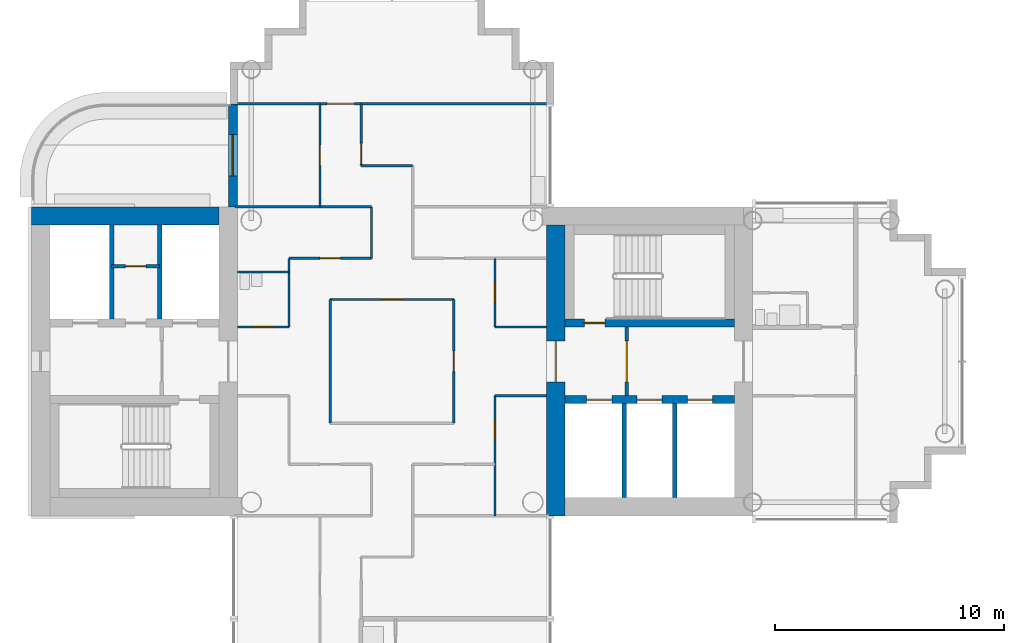
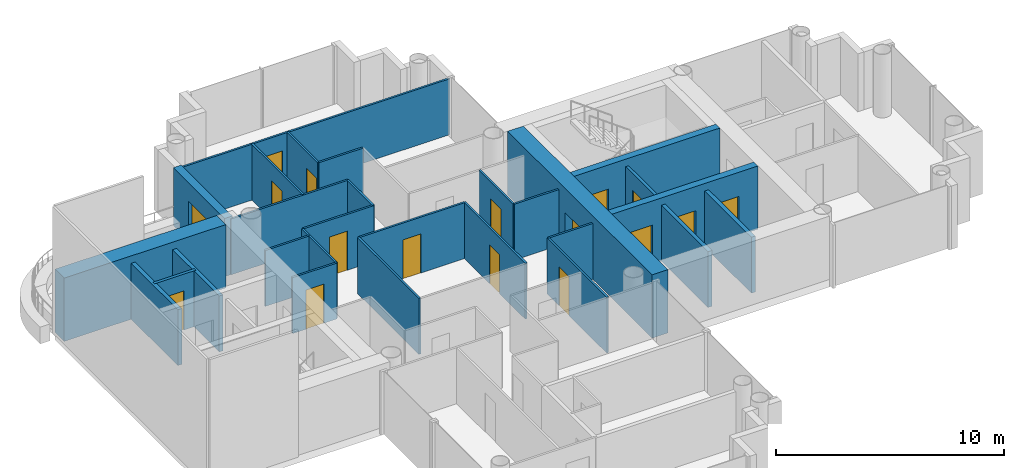
# One storey, part 8 of 20: 28 walls, 17 doors, 17 openings.
"""IFC4 building model written with IfcOpenShell, lengths in metres."""

from ifc_helpers import new_model, si_unit, direction, frame, frame_2d, origin, place, context, subcontext, project, spatial, rectangle, extrude, material, layer, layer_set, type_object, element, fill, save


model = new_model("IFC4")

# Units and contexts
model_context = context("Model", 3, precision=1e-05, world=origin(), true_north=direction((0.0, 1.0)))
body_context = subcontext(model_context, "Body", "Model", "MODEL_VIEW")
ifc_project = project(units=[si_unit("LENGTHUNIT", "METRE"), si_unit("AREAUNIT", "SQUARE_METRE"), si_unit("VOLUMEUNIT", "CUBIC_METRE"), si_unit("PLANEANGLEUNIT", "RADIAN"), si_unit("MASSUNIT", "GRAM", prefix="KILO")], contexts=[model_context])

# Site, building, storey
site_placement = place(None, origin())
site = spatial("IfcSite", under=ifc_project, at=site_placement, CompositionType="ELEMENT")
building_placement = place(site_placement, origin())
building = spatial("IfcBuilding", under=site, at=building_placement, Name="Ipe Terrace Towers", CompositionType="ELEMENT")
storey_placement = place(building_placement, frame((0.0, 0.0, 154.10009765625)))
storey = spatial("IfcBuildingStorey", under=building, at=storey_placement, Name="L42", CompositionType="ELEMENT", Elevation=154.10009765625)

# Wall, opening, door
ifc_material_1 = material(Name="Concrete C40/50 with buff precast cladding", Category="concrete")
ifc_layer_1 = layer(ifc_material_1, 0.39990234375)
ifc_layer_set_1 = layer_set([ifc_layer_1], Name="BALCONY BAY WALL 400")
wall_type_1 = type_object("IfcWallType", Name="BALCONY BAY WALL 400", PredefinedType="STANDARD", material=ifc_layer_set_1)
wall_1_placement = place(storey_placement, frame((-42.949951171875, 11.25, -0.02001953125), z_axis=(0.0, 0.0, 1.0), x_axis=(0.0, -1.0, 0.0)))
wall_1 = element("IfcWall", 1, at=wall_1_placement, inside=storey, type_object=wall_type_1, Name="T1-W-L42-40a wall", PredefinedType="STANDARD", context=body_context, shape_type="SweptSolid", body=[
    extrude(rectangle(XDim=4.5, YDim=0.39990234375, at=frame_2d((2.25, 0.0))), origin(), (0.0, 0.0, 1.0), 3.119873046875),
])
opening_1_placement = place(wall_1_placement, frame((1.35009765625, 0.0, 0.02001953125)))
opening_1 = element("IfcOpeningElement", 2, at=opening_1_placement, cuts=wall_1, Name="Opening T1-D-L42-40", PredefinedType="OPENING", context=body_context, shape_type="SweptSolid", body=[
    extrude(rectangle(XDim=1.800048828125, YDim=2.10009765625, at=frame_2d((0.89990234375, 1.050048828125))), frame((0.0, 0.2099609375, 0.0), z_axis=(0.0, -1.0, 0.0), x_axis=(1.0, 0.0, 0.0)), (0.0, 0.0, 1.0), 0.419921875),
])
ifc_material_2 = material(Name="Aluminium alloy 6063-T6 framed glazed door", Category="aluminium")
door_type_1 = type_object("IfcDoorType", Name="BALCONY DOOR 1800 x 2100 LEFT", OperationType="SINGLE_SWING_LEFT", PredefinedType="DOOR", material=ifc_material_2)
door_1_placement = place(opening_1_placement, origin())
door_1 = element("IfcDoor", 3, at=door_1_placement, inside=storey, type_object=door_type_1, Name="DB1 door", OperationType="SINGLE_SWING_LEFT", OverallHeight=2.10009765625, OverallWidth=1.800048828125, PredefinedType="DOOR", context=body_context, shape_type="SweptSolid", body=[
    extrude(rectangle(XDim=1.800048828125, YDim=2.10009765625, at=frame_2d((0.89990234375, 1.050048828125))), frame((0.0, 0.02490234375, 0.0), z_axis=(0.0, -1.0, 0.0), x_axis=(1.0, 0.0, 0.0)), (0.0, 0.0, 1.0), 0.050048828125),
])
fill(opening_1, door_1)

# Wall
ifc_material_3 = material(Name="Gypsum board partition", Category="plasterboard")
ifc_layer_2 = layer(ifc_material_3, 0.10009765625)
ifc_layer_set_2 = layer_set([ifc_layer_2], Name="Gypsum board partition 100 mm")
wall_type_2 = type_object("IfcWallType", Name="Gypsum board partition 100 mm", PredefinedType="PARTITIONING", material=ifc_layer_set_2)
wall_2_placement = place(storey_placement, frame((-40.5, 1.5, 0.0), z_axis=(0.0, 0.0, 1.0), x_axis=(0.0, 1.0, 0.0)))
element("IfcWall", 4, at=wall_2_placement, inside=storey, type_object=wall_type_2, Name="Gypsum board partition T1 L42 W02", PredefinedType="PARTITIONING", context=body_context, shape_type="SweptSolid", body=[
    extrude(rectangle(XDim=3.0, YDim=0.10009765625, at=frame_2d((1.5, 0.0))), origin(), (0.0, 0.0, 1.0), 3.0),
])

# Wall, opening, door
wall_3_placement = place(storey_placement, frame((-39.14990234375, 6.75, 0.0), z_axis=(0.0, 0.0, 1.0), x_axis=(0.0, 1.0, 0.0)))
wall_3 = element("IfcWall", 5, at=wall_3_placement, inside=storey, type_object=wall_type_2, Name="Gypsum board partition T1 L42 W04", PredefinedType="PARTITIONING", context=body_context, shape_type="SweptSolid", body=[
    extrude(rectangle(XDim=4.5, YDim=0.10009765625, at=frame_2d((2.25, 0.0))), origin(), (0.0, 0.0, 1.0), 3.0),
])
opening_2_placement = place(wall_3_placement, frame((1.800048828125, 0.0, 0.0)))
opening_2 = element("IfcOpeningElement", 6, at=opening_2_placement, cuts=wall_3, Name="Opening T1-Z3C-10", PredefinedType="OPENING", context=body_context, shape_type="SweptSolid", body=[
    extrude(rectangle(XDim=0.89990234375, YDim=2.10009765625, at=frame_2d((0.449951171875, 1.050048828125))), frame((0.0, 0.06005859375, 0.0), z_axis=(0.0, -1.0, 0.0), x_axis=(1.0, 0.0, 0.0)), (0.0, 0.0, 1.0), 0.1201171875),
])
ifc_material_4 = material(Name="Timber door leaf", Category="wood")
door_type_2 = type_object("IfcDoorType", Name="Lounge door 900 x 2100", OperationType="NOTDEFINED", PredefinedType="DOOR", material=ifc_material_4)
door_2_placement = place(opening_2_placement, origin())
door_2 = element("IfcDoor", 7, at=door_2_placement, inside=storey, type_object=door_type_2, Name="Lounge door T1-Z3C-10", OperationType="SINGLE_SWING_LEFT", OverallHeight=2.10009765625, OverallWidth=0.89990234375, PredefinedType="DOOR", context=body_context, shape_type="SweptSolid", body=[
    extrude(rectangle(XDim=0.89990234375, YDim=2.10009765625, at=frame_2d((0.449951171875, 1.050048828125))), frame((0.0, 0.02490234375, 0.0), z_axis=(0.0, -1.0, 0.0), x_axis=(1.0, 0.0, 0.0)), (0.0, 0.0, 1.0), 0.050048828125),
])
fill(opening_2, door_2)

# Wall
wall_4_placement = place(storey_placement, frame((-38.699951171875, -2.699951171875, 0.0), z_axis=(0.0, 0.0, 1.0), x_axis=(0.0, 1.0, 0.0)))
element("IfcWall", 8, at=wall_4_placement, inside=storey, type_object=wall_type_2, Name="Gypsum board partition T1 L42 W05", PredefinedType="PARTITIONING", context=body_context, shape_type="SweptSolid", body=[
    extrude(rectangle(XDim=5.39990234375, YDim=0.10009765625, at=frame_2d((2.699951171875, 0.0))), origin(), (0.0, 0.0, 1.0), 3.0),
])

# Wall, opening, door
wall_5_placement = place(storey_placement, frame((-37.35009765625, 8.550048828125, 0.0), z_axis=(0.0, 0.0, 1.0), x_axis=(0.0, 1.0, 0.0)))
wall_5 = element("IfcWall", 9, at=wall_5_placement, inside=storey, type_object=wall_type_2, Name="Gypsum board partition T1 L42 W07", PredefinedType="PARTITIONING", context=body_context, shape_type="SweptSolid", body=[
    extrude(rectangle(XDim=2.699951171875, YDim=0.10009765625, at=frame_2d((1.35009765625, 0.0))), origin(), (0.0, 0.0, 1.0), 3.0),
])
opening_3_placement = place(wall_5_placement, frame((0.070068359375, 0.0, 0.0)))
opening_3 = element("IfcOpeningElement", 10, at=opening_3_placement, cuts=wall_5, Name="Opening T1-Z3C-11", PredefinedType="OPENING", context=body_context, shape_type="SweptSolid", body=[
    extrude(rectangle(XDim=0.89990234375, YDim=2.10009765625, at=frame_2d((0.449951171875, 1.050048828125))), frame((0.0, 0.06005859375, 0.0), z_axis=(0.0, -1.0, 0.0), x_axis=(1.0, 0.0, 0.0)), (0.0, 0.0, 1.0), 0.1201171875),
])
door_3_placement = place(opening_3_placement, origin())
door_3 = element("IfcDoor", 11, at=door_3_placement, inside=storey, type_object=door_type_2, Name="Lounge door T1-Z3C-11", OperationType="SINGLE_SWING_LEFT", OverallHeight=2.10009765625, OverallWidth=0.89990234375, PredefinedType="DOOR", context=body_context, shape_type="SweptSolid", body=[
    extrude(rectangle(XDim=0.89990234375, YDim=2.10009765625, at=frame_2d((0.449951171875, 1.050048828125))), frame((0.0, 0.02490234375, 0.0), z_axis=(0.0, -1.0, 0.0), x_axis=(1.0, 0.0, 0.0)), (0.0, 0.0, 1.0), 0.050048828125),
])
fill(opening_3, door_3)

# Wall
wall_6_placement = place(storey_placement, frame((-36.89990234375, 4.5, 0.0), z_axis=(0.0, 0.0, 1.0), x_axis=(0.0, 1.0, 0.0)))
element("IfcWall", 12, at=wall_6_placement, inside=storey, type_object=wall_type_2, Name="Gypsum board partition T1 L42 W10", PredefinedType="PARTITIONING", context=body_context, shape_type="SweptSolid", body=[
    extrude(rectangle(XDim=2.25, YDim=0.10009765625, at=frame_2d((1.125, 0.0))), origin(), (0.0, 0.0, 1.0), 3.0),
])

# Wall, opening, door
wall_7_placement = place(storey_placement, frame((-33.300048828125, -2.699951171875, 0.0), z_axis=(0.0, 0.0, 1.0), x_axis=(0.0, 1.0, 0.0)))
wall_7 = element("IfcWall", 13, at=wall_7_placement, inside=storey, type_object=wall_type_2, Name="Gypsum board partition T1 L42 W14", PredefinedType="PARTITIONING", context=body_context, shape_type="SweptSolid", body=[
    extrude(rectangle(XDim=5.39990234375, YDim=0.10009765625, at=frame_2d((2.699951171875, 0.0))), origin(), (0.0, 0.0, 1.0), 3.0),
])
opening_4_placement = place(wall_7_placement, frame((2.25, 0.0, 0.0)))
opening_4 = element("IfcOpeningElement", 14, at=opening_4_placement, cuts=wall_7, Name="Opening T1-Z3C-02", PredefinedType="OPENING", context=body_context, shape_type="SweptSolid", body=[
    extrude(rectangle(XDim=0.89990234375, YDim=2.10009765625, at=frame_2d((0.449951171875, 1.050048828125))), frame((0.0, 0.06005859375, 0.0), z_axis=(0.0, -1.0, 0.0), x_axis=(1.0, 0.0, 0.0)), (0.0, 0.0, 1.0), 0.1201171875),
])
door_4_placement = place(opening_4_placement, origin())
door_4 = element("IfcDoor", 15, at=door_4_placement, inside=storey, type_object=door_type_2, Name="Lounge door T1-Z3C-02", OperationType="SINGLE_SWING_LEFT", OverallHeight=2.10009765625, OverallWidth=0.89990234375, PredefinedType="DOOR", context=body_context, shape_type="SweptSolid", body=[
    extrude(rectangle(XDim=0.89990234375, YDim=2.10009765625, at=frame_2d((0.449951171875, 1.050048828125))), frame((0.0, 0.02490234375, 0.0), z_axis=(0.0, -1.0, 0.0), x_axis=(1.0, 0.0, 0.0)), (0.0, 0.0, 1.0), 0.050048828125),
])
fill(opening_4, door_4)

wall_8_placement = place(storey_placement, frame((-31.5, -6.75, 0.0), z_axis=(0.0, 0.0, 1.0), x_axis=(0.0, 1.0, 0.0)))
wall_8 = element("IfcWall", 16, at=wall_8_placement, inside=storey, type_object=wall_type_2, Name="Gypsum board partition T1 L42 W15", PredefinedType="PARTITIONING", context=body_context, shape_type="SweptSolid", body=[
    extrude(rectangle(XDim=5.25, YDim=0.10009765625, at=frame_2d((2.625, 0.0))), origin(), (0.0, 0.0, 1.0), 3.0),
])
opening_5_placement = place(wall_8_placement, frame((3.300048828125, 0.0, 0.0)))
opening_5 = element("IfcOpeningElement", 17, at=opening_5_placement, cuts=wall_8, Name="Opening T1-Z3C-09", PredefinedType="OPENING", context=body_context, shape_type="SweptSolid", body=[
    extrude(rectangle(XDim=0.89990234375, YDim=2.10009765625, at=frame_2d((0.449951171875, 1.050048828125))), frame((0.0, 0.06005859375, 0.0), z_axis=(0.0, -1.0, 0.0), x_axis=(1.0, 0.0, 0.0)), (0.0, 0.0, 1.0), 0.1201171875),
])
door_5_placement = place(opening_5_placement, origin())
door_5 = element("IfcDoor", 18, at=door_5_placement, inside=storey, type_object=door_type_2, Name="Lounge door T1-Z3C-09", OperationType="SINGLE_SWING_RIGHT", OverallHeight=2.10009765625, OverallWidth=0.89990234375, PredefinedType="DOOR", context=body_context, shape_type="SweptSolid", body=[
    extrude(rectangle(XDim=0.89990234375, YDim=2.10009765625, at=frame_2d((0.449951171875, 1.050048828125))), frame((0.0, 0.02490234375, 0.0), z_axis=(0.0, -1.0, 0.0), x_axis=(1.0, 0.0, 0.0)), (0.0, 0.0, 1.0), 0.050048828125),
])
fill(opening_5, door_5)

wall_9_placement = place(storey_placement, frame((-31.5, 1.5, 0.0), z_axis=(0.0, 0.0, 1.0), x_axis=(0.0, 1.0, 0.0)))
wall_9 = element("IfcWall", 19, at=wall_9_placement, inside=storey, type_object=wall_type_2, Name="Gypsum board partition T1 L42 W16", PredefinedType="PARTITIONING", context=body_context, shape_type="SweptSolid", body=[
    extrude(rectangle(XDim=3.0, YDim=0.10009765625, at=frame_2d((1.5, 0.0))), origin(), (0.0, 0.0, 1.0), 3.0),
])
opening_6_placement = place(wall_9_placement, frame((1.050048828125, 0.0, 0.0)))
opening_6 = element("IfcOpeningElement", 20, at=opening_6_placement, cuts=wall_9, Name="Opening T1-Z3C-05", PredefinedType="OPENING", context=body_context, shape_type="SweptSolid", body=[
    extrude(rectangle(XDim=0.89990234375, YDim=2.10009765625, at=frame_2d((0.449951171875, 1.050048828125))), frame((0.0, 0.06005859375, 0.0), z_axis=(0.0, -1.0, 0.0), x_axis=(1.0, 0.0, 0.0)), (0.0, 0.0, 1.0), 0.1201171875),
])
door_6_placement = place(opening_6_placement, origin())
door_6 = element("IfcDoor", 21, at=door_6_placement, inside=storey, type_object=door_type_2, Name="Lounge door T1-Z3C-05", OperationType="SINGLE_SWING_RIGHT", OverallHeight=2.10009765625, OverallWidth=0.89990234375, PredefinedType="DOOR", context=body_context, shape_type="SweptSolid", body=[
    extrude(rectangle(XDim=0.89990234375, YDim=2.10009765625, at=frame_2d((0.449951171875, 1.050048828125))), frame((0.0, 0.02490234375, 0.0), z_axis=(0.0, -1.0, 0.0), x_axis=(1.0, 0.0, 0.0)), (0.0, 0.0, 1.0), 0.050048828125),
])
fill(opening_6, door_6)

# Wall
wall_10_placement = place(storey_placement, frame((-31.5, -1.5, 0.0), z_axis=(0.0, 0.0, 1.0), x_axis=(1.0, 0.0, 0.0)))
element("IfcWall", 22, at=wall_10_placement, inside=storey, type_object=wall_type_2, Name="Gypsum board partition T1 L42 W31", PredefinedType="PARTITIONING", context=body_context, shape_type="SweptSolid", body=[
    extrude(rectangle(XDim=2.25, YDim=0.10009765625, at=frame_2d((1.125, 0.0))), origin(), (0.0, 0.0, 1.0), 3.0),
])

# Wall, opening, door
wall_11_placement = place(storey_placement, frame((-42.75, 1.5, 0.0), z_axis=(0.0, 0.0, 1.0), x_axis=(1.0, 0.0, 0.0)))
wall_11 = element("IfcWall", 23, at=wall_11_placement, inside=storey, type_object=wall_type_2, Name="Gypsum board partition T1 L42 W33", PredefinedType="PARTITIONING", context=body_context, shape_type="SweptSolid", body=[
    extrude(rectangle(XDim=2.25, YDim=0.10009765625, at=frame_2d((1.125, 0.0))), origin(), (0.0, 0.0, 1.0), 3.0),
])
opening_7_placement = place(wall_11_placement, frame((0.675048828125, 0.0, 0.0)))
opening_7 = element("IfcOpeningElement", 24, at=opening_7_placement, cuts=wall_11, Name="Opening T1-Z3C-03", PredefinedType="OPENING", context=body_context, shape_type="SweptSolid", body=[
    extrude(rectangle(XDim=0.89990234375, YDim=2.10009765625, at=frame_2d((0.449951171875, 1.050048828125))), frame((0.0, 0.06005859375, 0.0), z_axis=(0.0, -1.0, 0.0), x_axis=(1.0, 0.0, 0.0)), (0.0, 0.0, 1.0), 0.1201171875),
])
ifc_material_5 = material(Name="Timber door leaf", Category="wood")
door_type_3 = type_object("IfcDoorType", Name="Bathroom door 900 x 2100", OperationType="NOTDEFINED", PredefinedType="DOOR", material=ifc_material_5)
door_7_placement = place(opening_7_placement, origin())
door_7 = element("IfcDoor", 25, at=door_7_placement, inside=storey, type_object=door_type_3, Name="Bathroom door T1-Z3C-03", OperationType="SINGLE_SWING_LEFT", OverallHeight=2.10009765625, OverallWidth=0.89990234375, PredefinedType="DOOR", context=body_context, shape_type="SweptSolid", body=[
    extrude(rectangle(XDim=0.89990234375, YDim=2.10009765625, at=frame_2d((0.449951171875, 1.050048828125))), frame((0.0, 0.02490234375, 0.0), z_axis=(0.0, -1.0, 0.0), x_axis=(1.0, 0.0, 0.0)), (0.0, 0.0, 1.0), 0.050048828125),
])
fill(opening_7, door_7)

# Wall
wall_12_placement = place(storey_placement, frame((-31.5, 1.5, 0.0), z_axis=(0.0, 0.0, 1.0), x_axis=(1.0, 0.0, 0.0)))
element("IfcWall", 26, at=wall_12_placement, inside=storey, type_object=wall_type_2, Name="Gypsum board partition T1 L42 W34", PredefinedType="PARTITIONING", context=body_context, shape_type="SweptSolid", body=[
    extrude(rectangle(XDim=2.25, YDim=0.10009765625, at=frame_2d((1.125, 0.0))), origin(), (0.0, 0.0, 1.0), 3.0),
])

# Wall, opening, door
wall_13_placement = place(storey_placement, frame((-38.699951171875, 2.699951171875, 0.0), z_axis=(0.0, 0.0, 1.0), x_axis=(1.0, 0.0, 0.0)))
wall_13 = element("IfcWall", 27, at=wall_13_placement, inside=storey, type_object=wall_type_2, Name="Gypsum board partition T1 L42 W36", PredefinedType="PARTITIONING", context=body_context, shape_type="SweptSolid", body=[
    extrude(rectangle(XDim=5.39990234375, YDim=0.10009765625, at=frame_2d((2.699951171875, 0.0))), origin(), (0.0, 0.0, 1.0), 3.0),
])
opening_8_placement = place(wall_13_placement, frame((2.25, 0.0, 0.0)))
opening_8 = element("IfcOpeningElement", 28, at=opening_8_placement, cuts=wall_13, Name="Opening T1-Z3C-01", PredefinedType="OPENING", context=body_context, shape_type="SweptSolid", body=[
    extrude(rectangle(XDim=0.89990234375, YDim=2.10009765625, at=frame_2d((0.449951171875, 1.050048828125))), frame((0.0, 0.06005859375, 0.0), z_axis=(0.0, -1.0, 0.0), x_axis=(1.0, 0.0, 0.0)), (0.0, 0.0, 1.0), 0.1201171875),
])
door_8_placement = place(opening_8_placement, origin())
door_8 = element("IfcDoor", 29, at=door_8_placement, inside=storey, type_object=door_type_2, Name="Lounge door T1-Z3C-01", OperationType="SINGLE_SWING_RIGHT", OverallHeight=2.10009765625, OverallWidth=0.89990234375, PredefinedType="DOOR", context=body_context, shape_type="SweptSolid", body=[
    extrude(rectangle(XDim=0.89990234375, YDim=2.10009765625, at=frame_2d((0.449951171875, 1.050048828125))), frame((0.0, 0.02490234375, 0.0), z_axis=(0.0, -1.0, 0.0), x_axis=(1.0, 0.0, 0.0)), (0.0, 0.0, 1.0), 0.050048828125),
])
fill(opening_8, door_8)

# Wall
wall_14_placement = place(storey_placement, frame((-42.75, 3.89990234375, 0.0), z_axis=(0.0, 0.0, 1.0), x_axis=(1.0, 0.0, 0.0)))
element("IfcWall", 30, at=wall_14_placement, inside=storey, type_object=wall_type_2, Name="Gypsum board partition T1 L42 W38", PredefinedType="PARTITIONING", context=body_context, shape_type="SweptSolid", body=[
    extrude(rectangle(XDim=2.25, YDim=0.10009765625, at=frame_2d((1.125, 0.0))), origin(), (0.0, 0.0, 1.0), 3.0),
])

# Wall, opening, door
wall_15_placement = place(storey_placement, frame((-40.5, 4.5, 0.0), z_axis=(0.0, 0.0, 1.0), x_axis=(1.0, 0.0, 0.0)))
wall_15 = element("IfcWall", 31, at=wall_15_placement, inside=storey, type_object=wall_type_2, Name="Gypsum board partition T1 L42 W39", PredefinedType="PARTITIONING", context=body_context, shape_type="SweptSolid", body=[
    extrude(rectangle(XDim=3.60009765625, YDim=0.10009765625, at=frame_2d((1.800048828125, 0.0))), origin(), (0.0, 0.0, 1.0), 3.0),
])
opening_9_placement = place(wall_15_placement, frame((1.35009765625, 0.0, 0.0)))
opening_9 = element("IfcOpeningElement", 32, at=opening_9_placement, cuts=wall_15, Name="Opening T1-Z3C-06", PredefinedType="OPENING", context=body_context, shape_type="SweptSolid", body=[
    extrude(rectangle(XDim=0.89990234375, YDim=2.10009765625, at=frame_2d((0.449951171875, 1.050048828125))), frame((0.0, 0.06005859375, 0.0), z_axis=(0.0, -1.0, 0.0), x_axis=(1.0, 0.0, 0.0)), (0.0, 0.0, 1.0), 0.1201171875),
])
door_9_placement = place(opening_9_placement, origin())
door_9 = element("IfcDoor", 33, at=door_9_placement, inside=storey, type_object=door_type_2, Name="Lounge door T1-Z3C-06", OperationType="SINGLE_SWING_RIGHT", OverallHeight=2.10009765625, OverallWidth=0.89990234375, PredefinedType="DOOR", context=body_context, shape_type="SweptSolid", body=[
    extrude(rectangle(XDim=0.89990234375, YDim=2.10009765625, at=frame_2d((0.449951171875, 1.050048828125))), frame((0.0, 0.02490234375, 0.0), z_axis=(0.0, -1.0, 0.0), x_axis=(1.0, 0.0, 0.0)), (0.0, 0.0, 1.0), 0.050048828125),
])
fill(opening_9, door_9)

# Walls
wall_16_placement = place(storey_placement, frame((-42.85009765625, 6.75, 0.0), z_axis=(0.0, 0.0, 1.0), x_axis=(1.0, 0.0, 0.0)))
element("IfcWall", 34, at=wall_16_placement, inside=storey, type_object=wall_type_2, Name="Gypsum board partition T1 L42 W41", PredefinedType="PARTITIONING", context=body_context, shape_type="SweptSolid", body=[
    extrude(rectangle(XDim=5.9501953125, YDim=0.10009765625, at=frame_2d((2.97509765625, 0.0))), origin(), (0.0, 0.0, 1.0), 3.0),
])
wall_17_placement = place(storey_placement, frame((-37.35009765625, 8.550048828125, 0.0), z_axis=(0.0, 0.0, 1.0), x_axis=(1.0, 0.0, 0.0)))
element("IfcWall", 35, at=wall_17_placement, inside=storey, type_object=wall_type_2, Name="Gypsum board partition T1 L42 W43", PredefinedType="PARTITIONING", context=body_context, shape_type="SweptSolid", body=[
    extrude(rectangle(XDim=2.25, YDim=0.10009765625, at=frame_2d((1.125, 0.0))), origin(), (0.0, 0.0, 1.0), 3.0),
])

# Wall, opening, door
wall_18_placement = place(storey_placement, frame((-42.85009765625, 11.25, 0.0), z_axis=(0.0, 0.0, 1.0), x_axis=(1.0, 0.0, 0.0)))
wall_18 = element("IfcWall", 36, at=wall_18_placement, inside=storey, type_object=wall_type_2, Name="Gypsum board partition T1 L42 W44", PredefinedType="PARTITIONING", context=body_context, shape_type="SweptSolid", body=[
    extrude(rectangle(XDim=13.7001953125, YDim=0.10009765625, at=frame_2d((6.85009765625, 0.0))), origin(), (0.0, 0.0, 1.0), 3.0),
])
opening_10_placement = place(wall_18_placement, frame((4.0, 0.0, 0.0)))
opening_10 = element("IfcOpeningElement", 37, at=opening_10_placement, cuts=wall_18, Name="Opening T1-Z3C-12", PredefinedType="OPENING", context=body_context, shape_type="SweptSolid", body=[
    extrude(rectangle(XDim=1.199951171875, YDim=2.10009765625, at=frame_2d((0.60009765625, 1.050048828125))), frame((0.0, 0.06005859375, 0.0), z_axis=(0.0, -1.0, 0.0), x_axis=(1.0, 0.0, 0.0)), (0.0, 0.0, 1.0), 0.1201171875),
])
ifc_material_6 = material(Name="Timber door leaf", Category="wood")
door_type_4 = type_object("IfcDoorType", Name="Lounge door 1200 x 2100", OperationType="NOTDEFINED", PredefinedType="DOOR", material=ifc_material_6)
door_10_placement = place(opening_10_placement, origin())
door_10 = element("IfcDoor", 38, at=door_10_placement, inside=storey, type_object=door_type_4, Name="Lounge door T1-Z3C-12", OperationType="SINGLE_SWING_RIGHT", OverallHeight=2.10009765625, OverallWidth=1.199951171875, PredefinedType="DOOR", context=body_context, shape_type="SweptSolid", body=[
    extrude(rectangle(XDim=1.199951171875, YDim=2.10009765625, at=frame_2d((0.60009765625, 1.050048828125))), frame((0.0, 0.02490234375, 0.0), z_axis=(0.0, -1.0, 0.0), x_axis=(1.0, 0.0, 0.0)), (0.0, 0.0, 1.0), 0.050048828125),
])
fill(opening_10, door_10)

ifc_material_7 = material(Name="Gypsum board partition", Category="plasterboard")
ifc_layer_3 = layer(ifc_material_7, 0.14990234375)
ifc_layer_set_3 = layer_set([ifc_layer_3], Name="Gypsum board partition 150 mm")
wall_type_3 = type_object("IfcWallType", Name="Gypsum board partition 150 mm", PredefinedType="PARTITIONING", material=ifc_layer_set_3)
wall_19_placement = place(storey_placement, frame((-25.75, -1.5, 0.0), z_axis=(0.0, 0.0, 1.0), x_axis=(0.0, 1.0, 0.0)))
wall_19 = element("IfcWall", 39, at=wall_19_placement, inside=storey, type_object=wall_type_3, Name="Gypsum board partition T1 L42 t1c1-lobby-wall", PredefinedType="PARTITIONING", context=body_context, shape_type="SweptSolid", body=[
    extrude(rectangle(XDim=3.0, YDim=0.14990234375, at=frame_2d((1.5, 0.0))), origin(), (0.0, 0.0, 1.0), 3.0),
])
opening_11_placement = place(wall_19_placement, frame((0.60009765625, 0.0, 0.0)))
opening_11 = element("IfcOpeningElement", 40, at=opening_11_placement, cuts=wall_19, Name="Opening T1C1-VD", PredefinedType="OPENING", context=body_context, shape_type="SweptSolid", body=[
    extrude(rectangle(XDim=1.800048828125, YDim=2.10009765625, at=frame_2d((0.89990234375, 1.050048828125))), frame((0.0, 0.0849609375, 0.0), z_axis=(0.0, -1.0, 0.0), x_axis=(1.0, 0.0, 0.0)), (0.0, 0.0, 1.0), 0.169921875),
])
ifc_material_8 = material(Name="Fire-rated timber door leaf", Category="wood")
door_type_5 = type_object("IfcDoorType", Name="Lobby door 1800 x 2100 FD60", OperationType="NOTDEFINED", PredefinedType="DOOR", material=ifc_material_8)
door_11_placement = place(opening_11_placement, origin())
door_11 = element("IfcDoor", 41, at=door_11_placement, inside=storey, type_object=door_type_5, Name="Lobby door T1C1-VD", OperationType="SINGLE_SWING_LEFT", OverallHeight=2.10009765625, OverallWidth=1.800048828125, PredefinedType="DOOR", context=body_context, shape_type="SweptSolid", body=[
    extrude(rectangle(XDim=1.800048828125, YDim=2.10009765625, at=frame_2d((0.89990234375, 1.050048828125))), frame((0.0, 0.02490234375, 0.0), z_axis=(0.0, -1.0, 0.0), x_axis=(1.0, 0.0, 0.0)), (0.0, 0.0, 1.0), 0.050048828125),
])
fill(opening_11, door_11)

wall_20_placement = place(storey_placement, frame((-46.14990234375, 4.14990234375, 0.0), z_axis=(0.0, 0.0, 1.0), x_axis=(-1.0, 0.0, 0.0)))
wall_20 = element("IfcWall", 42, at=wall_20_placement, inside=storey, type_object=wall_type_3, Name="Gypsum board partition T1 L42 t1c2-q-back", PredefinedType="PARTITIONING", context=body_context, shape_type="SweptSolid", body=[
    extrude(rectangle(XDim=2.10009765625, YDim=0.14990234375, at=frame_2d((1.050048828125, 0.0))), origin(), (0.0, 0.0, 1.0), 3.0),
])
opening_12_placement = place(wall_20_placement, frame((0.60009765625, 0.0, 0.0)))
opening_12 = element("IfcOpeningElement", 43, at=opening_12_placement, cuts=wall_20, Name="Opening T1C2-RB", PredefinedType="OPENING", context=body_context, shape_type="SweptSolid", body=[
    extrude(rectangle(XDim=0.89990234375, YDim=2.10009765625, at=frame_2d((0.449951171875, 1.050048828125))), frame((0.0, 0.0849609375, 0.0), z_axis=(0.0, -1.0, 0.0), x_axis=(1.0, 0.0, 0.0)), (0.0, 0.0, 1.0), 0.169921875),
])
ifc_material_9 = material(Name="Fire-rated timber door leaf", Category="wood")
door_type_6 = type_object("IfcDoorType", Name="Service door 900 x 2100 FD60", OperationType="NOTDEFINED", PredefinedType="DOOR", material=ifc_material_9)
door_12_placement = place(opening_12_placement, origin())
door_12 = element("IfcDoor", 44, at=door_12_placement, inside=storey, type_object=door_type_6, Name="Service door T1C2-RB", OperationType="SINGLE_SWING_LEFT", OverallHeight=2.10009765625, OverallWidth=0.89990234375, PredefinedType="DOOR", context=body_context, shape_type="SweptSolid", body=[
    extrude(rectangle(XDim=0.89990234375, YDim=2.10009765625, at=frame_2d((0.449951171875, 1.050048828125))), frame((0.0, 0.02490234375, 0.0), z_axis=(0.0, -1.0, 0.0), x_axis=(1.0, 0.0, 0.0)), (0.0, 0.0, 1.0), 0.050048828125),
])
fill(opening_12, door_12)

# Walls
ifc_material_10 = material(Name="Gypsum board party wall", Category="plasterboard")
ifc_layer_4 = layer(ifc_material_10, 0.199951171875)
ifc_layer_set_4 = layer_set([ifc_layer_4], Name="Gypsum board party wall 200 mm")
wall_type_4 = type_object("IfcWallType", Name="Gypsum board party wall 200 mm", PredefinedType="SOLIDWALL", material=ifc_layer_set_4)
for number, where, z_axis, x_axis, name in (
    (45, (-25.85009765625, -5.949951171875, 0.0), (0.0, 0.0, 1.0), (0.0, 1.0, 0.0), "Gypsum board party wall T1 L42 t1c1-shaft-div1"),
    (46, (-23.64990234375, -5.949951171875, 0.0), (0.0, 0.0, 1.0), (0.0, 1.0, 0.0), "Gypsum board party wall T1 L42 t1c1-shaft-div2"),
    (47, (-48.25, 5.949951171875, 0.0), (0.0, 0.0, 1.0), (0.0, -1.0, 0.0), "Gypsum board party wall T1 L42 t1c2-shaft-div2"),
    (48, (-46.14990234375, 5.949951171875, 0.0), (0.0, 0.0, 1.0), (0.0, -1.0, 0.0), "Gypsum board party wall T1 L42 t1c2-shaft-div1"),
):
    element("IfcWall", number, at=place(storey_placement, frame(where, z_axis=z_axis, x_axis=x_axis)), inside=storey, type_object=wall_type_4, Name=name, PredefinedType="SOLIDWALL", context=body_context, shape_type="SweptSolid", body=[
        extrude(rectangle(XDim=4.099853515625, YDim=0.199951171875, at=frame_2d((2.0498046875, 0.0))), origin(), (0.0, 0.0, 1.0), 3.0),
    ])

# Wall, openings, doors
ifc_material_11 = material(Name="Concrete C50/60", Category="concrete")
ifc_layer_5 = layer(ifc_material_11, 0.35009765625)
ifc_layer_set_5 = layer_set([ifc_layer_5], Name="RW350 CORE SPINE WALL 350 C50-60")
wall_type_5 = type_object("IfcWallType", Name="RW350 CORE SPINE WALL 350 C50-60", PredefinedType="SHEAR", material=ifc_layer_set_5)
wall_21_placement = place(storey_placement, frame((-28.449951171875, -1.675048828125, 0.0), z_axis=(0.0, 0.0, 1.0), x_axis=(1.0, 0.0, 0.0)))
wall_21 = element("IfcWall", 49, at=wall_21_placement, inside=storey, type_object=wall_type_5, Name="Core spine wall T1-C1-Z3-SW1", PredefinedType="SHEAR", context=body_context, shape_type="SweptSolid", body=[
    extrude(rectangle(XDim=7.39990234375, YDim=0.35009765625, at=frame_2d((3.699951171875, 0.0))), origin(), (0.0, 0.0, 1.0), 3.39990234375),
])
opening_13_placement = place(wall_21_placement, frame((0.949951171875, 0.0, 0.0)))
opening_13 = element("IfcOpeningElement", 50, at=opening_13_placement, cuts=wall_21, Name="Opening T1C1-LD1", PredefinedType="OPENING", context=body_context, shape_type="SweptSolid", body=[
    extrude(rectangle(XDim=1.10009765625, YDim=2.10009765625, at=frame_2d((0.550048828125, 1.050048828125))), frame((0.0, 0.18505859375, 0.0), z_axis=(0.0, -1.0, 0.0), x_axis=(1.0, 0.0, 0.0)), (0.0, 0.0, 1.0), 0.3701171875),
])
opening_14_placement = place(wall_21_placement, frame((3.14990234375, 0.0, 0.0)))
opening_14 = element("IfcOpeningElement", 51, at=opening_14_placement, cuts=wall_21, Name="Opening T1C1-LD2", PredefinedType="OPENING", context=body_context, shape_type="SweptSolid", body=[
    extrude(rectangle(XDim=1.10009765625, YDim=2.10009765625, at=frame_2d((0.550048828125, 1.050048828125))), frame((0.0, 0.18505859375, 0.0), z_axis=(0.0, -1.0, 0.0), x_axis=(1.0, 0.0, 0.0)), (0.0, 0.0, 1.0), 0.3701171875),
])
opening_15_placement = place(wall_21_placement, frame((5.35009765625, 0.0, 0.0)))
opening_15 = element("IfcOpeningElement", 52, at=opening_15_placement, cuts=wall_21, Name="Opening T1C1-LD3", PredefinedType="OPENING", context=body_context, shape_type="SweptSolid", body=[
    extrude(rectangle(XDim=1.10009765625, YDim=2.10009765625, at=frame_2d((0.550048828125, 1.050048828125))), frame((0.0, 0.18505859375, 0.0), z_axis=(0.0, -1.0, 0.0), x_axis=(1.0, 0.0, 0.0)), (0.0, 0.0, 1.0), 0.3701171875),
])
ifc_material_12 = material(Name="Fire-rated timber door leaf", Category="wood")
door_type_7 = type_object("IfcDoorType", Name="Sliding door 1100 x 2100 FD60", OperationType="SLIDING_TO_LEFT", PredefinedType="DOOR", material=ifc_material_12)
door_13_placement = place(opening_13_placement, origin())
door_13 = element("IfcDoor", 53, at=door_13_placement, inside=storey, type_object=door_type_7, Name="Sliding door T1C1-LD1", OperationType="SLIDING_TO_LEFT", OverallHeight=2.10009765625, OverallWidth=1.10009765625, PredefinedType="DOOR", context=body_context, shape_type="SweptSolid", body=[
    extrude(rectangle(XDim=1.10009765625, YDim=2.10009765625, at=frame_2d((0.550048828125, 1.050048828125))), frame((0.0, 0.02490234375, 0.0), z_axis=(0.0, -1.0, 0.0), x_axis=(1.0, 0.0, 0.0)), (0.0, 0.0, 1.0), 0.050048828125),
])
fill(opening_13, door_13)
door_14_placement = place(opening_14_placement, origin())
door_14 = element("IfcDoor", 54, at=door_14_placement, inside=storey, type_object=door_type_7, Name="Sliding door T1C1-LD2", OperationType="SLIDING_TO_LEFT", OverallHeight=2.10009765625, OverallWidth=1.10009765625, PredefinedType="DOOR", context=body_context, shape_type="SweptSolid", body=[
    extrude(rectangle(XDim=1.10009765625, YDim=2.10009765625, at=frame_2d((0.550048828125, 1.050048828125))), frame((0.0, 0.02490234375, 0.0), z_axis=(0.0, -1.0, 0.0), x_axis=(1.0, 0.0, 0.0)), (0.0, 0.0, 1.0), 0.050048828125),
])
fill(opening_14, door_14)
door_15_placement = place(opening_15_placement, origin())
door_15 = element("IfcDoor", 55, at=door_15_placement, inside=storey, type_object=door_type_7, Name="Sliding door T1C1-LD3", OperationType="SLIDING_TO_LEFT", OverallHeight=2.10009765625, OverallWidth=1.10009765625, PredefinedType="DOOR", context=body_context, shape_type="SweptSolid", body=[
    extrude(rectangle(XDim=1.10009765625, YDim=2.10009765625, at=frame_2d((0.550048828125, 1.050048828125))), frame((0.0, 0.02490234375, 0.0), z_axis=(0.0, -1.0, 0.0), x_axis=(1.0, 0.0, 0.0)), (0.0, 0.0, 1.0), 0.050048828125),
])
fill(opening_15, door_15)

# Wall, opening, door
wall_22_placement = place(storey_placement, frame((-28.449951171875, 1.675048828125, 0.0), z_axis=(0.0, 0.0, 1.0), x_axis=(1.0, 0.0, 0.0)))
wall_22 = element("IfcWall", 56, at=wall_22_placement, inside=storey, type_object=wall_type_5, Name="Core spine wall T1-C1-Z3-SW2", PredefinedType="SHEAR", context=body_context, shape_type="SweptSolid", body=[
    extrude(rectangle(XDim=7.39990234375, YDim=0.35009765625, at=frame_2d((3.699951171875, 0.0))), origin(), (0.0, 0.0, 1.0), 3.39990234375),
])
opening_16_placement = place(wall_22_placement, frame((0.85009765625, 0.0, 0.0)))
opening_16 = element("IfcOpeningElement", 57, at=opening_16_placement, cuts=wall_22, Name="Opening T1C1-SD", PredefinedType="OPENING", context=body_context, shape_type="SweptSolid", body=[
    extrude(rectangle(XDim=0.89990234375, YDim=2.10009765625, at=frame_2d((0.449951171875, 1.050048828125))), frame((0.0, 0.18505859375, 0.0), z_axis=(0.0, -1.0, 0.0), x_axis=(1.0, 0.0, 0.0)), (0.0, 0.0, 1.0), 0.3701171875),
])
ifc_material_13 = material(Name="Fire-rated timber door leaf", Category="wood")
door_type_8 = type_object("IfcDoorType", Name="Stair door 900 x 2100 FD60", OperationType="NOTDEFINED", PredefinedType="DOOR", material=ifc_material_13)
door_16_placement = place(opening_16_placement, origin())
door_16 = element("IfcDoor", 58, at=door_16_placement, inside=storey, type_object=door_type_8, Name="Stair door T1C1-SD", OperationType="SINGLE_SWING_LEFT", OverallHeight=2.10009765625, OverallWidth=0.89990234375, PredefinedType="DOOR", context=body_context, shape_type="SweptSolid", body=[
    extrude(rectangle(XDim=0.89990234375, YDim=2.10009765625, at=frame_2d((0.449951171875, 1.050048828125))), frame((0.0, 0.02490234375, 0.0), z_axis=(0.0, -1.0, 0.0), x_axis=(1.0, 0.0, 0.0)), (0.0, 0.0, 1.0), 0.050048828125),
])
fill(opening_16, door_16)

ifc_material_14 = material(Name="Concrete C50/60", Category="concrete")
ifc_layer_6 = layer(ifc_material_14, 0.800048828125)
ifc_layer_set_6 = layer_set([ifc_layer_6], Name="RW800 CORE WALL 800 C50-60")
wall_type_6 = type_object("IfcWallType", Name="RW800 CORE WALL 800 C50-60", PredefinedType="SHEAR", material=ifc_layer_set_6)
wall_23_placement = place(storey_placement, frame((-28.85009765625, 5.949951171875, 0.0), z_axis=(0.0, 0.0, 1.0), x_axis=(0.0, -1.0, 0.0)))
wall_23 = element("IfcWall", 59, at=wall_23_placement, inside=storey, type_object=wall_type_6, Name="Core wall T1-C1-Z3-W04", PredefinedType="SHEAR", context=body_context, shape_type="SweptSolid", body=[
    extrude(rectangle(XDim=12.699951171875, YDim=0.800048828125, at=frame_2d((6.35009765625, 0.0))), origin(), (0.0, 0.0, 1.0), 3.39990234375),
])
opening_17_placement = place(wall_23_placement, frame((5.050048828125, 0.0, 0.0)))
opening_17 = element("IfcOpeningElement", 60, at=opening_17_placement, cuts=wall_23, Name="Opening T1C1-ND", PredefinedType="OPENING", context=body_context, shape_type="SweptSolid", body=[
    extrude(rectangle(XDim=1.800048828125, YDim=2.10009765625, at=frame_2d((0.89990234375, 1.050048828125))), frame((0.0, 0.41015625, 0.0), z_axis=(0.0, -1.0, 0.0), x_axis=(1.0, 0.0, 0.0)), (0.0, 0.0, 1.0), 0.820068359375),
])
ifc_material_15 = material(Name="Fire-rated timber door leaf", Category="wood")
door_type_9 = type_object("IfcDoorType", Name="Fire door 1800 x 2100 FD30S", OperationType="NOTDEFINED", PredefinedType="DOOR", material=ifc_material_15)
door_17_placement = place(opening_17_placement, origin())
door_17 = element("IfcDoor", 61, at=door_17_placement, inside=storey, type_object=door_type_9, Name="Fire door T1C1-ND", OperationType="SINGLE_SWING_LEFT", OverallHeight=2.10009765625, OverallWidth=1.800048828125, PredefinedType="DOOR", context=body_context, shape_type="SweptSolid", body=[
    extrude(rectangle(XDim=1.800048828125, YDim=2.10009765625, at=frame_2d((0.89990234375, 1.050048828125))), frame((0.0, 0.02490234375, 0.0), z_axis=(0.0, -1.0, 0.0), x_axis=(1.0, 0.0, 0.0)), (0.0, 0.0, 1.0), 0.050048828125),
])
fill(opening_17, door_17)

# Wall
wall_24_placement = place(storey_placement, frame((-43.550048828125, 6.35009765625, 0.0), z_axis=(0.0, 0.0, 1.0), x_axis=(-1.0, 0.0, 0.0)))
element("IfcWall", 62, at=wall_24_placement, inside=storey, type_object=wall_type_6, Name="Core wall T1-C2-Z3-W03", PredefinedType="SHEAR", context=body_context, shape_type="SweptSolid", body=[
    extrude(rectangle(XDim=8.199951171875, YDim=0.800048828125, at=frame_2d((4.10009765625, 0.0))), origin(), (0.0, 0.0, 1.0), 3.39990234375),
])

save(model, "model.ifc")
